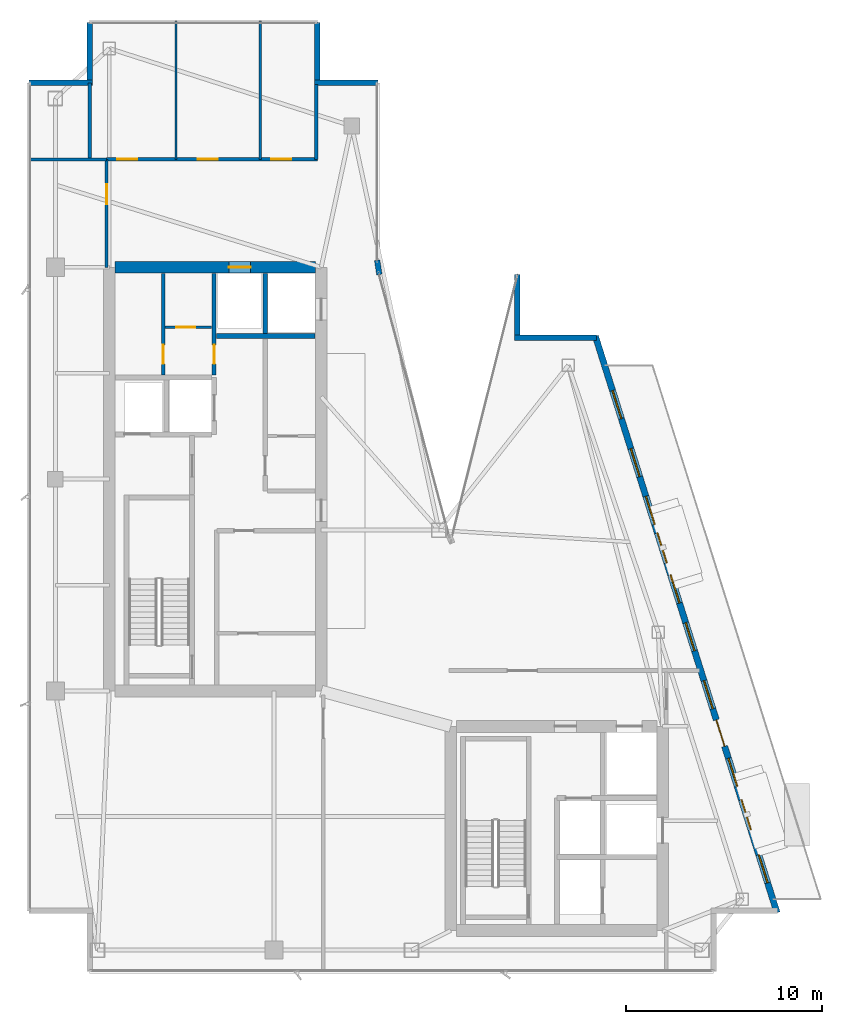
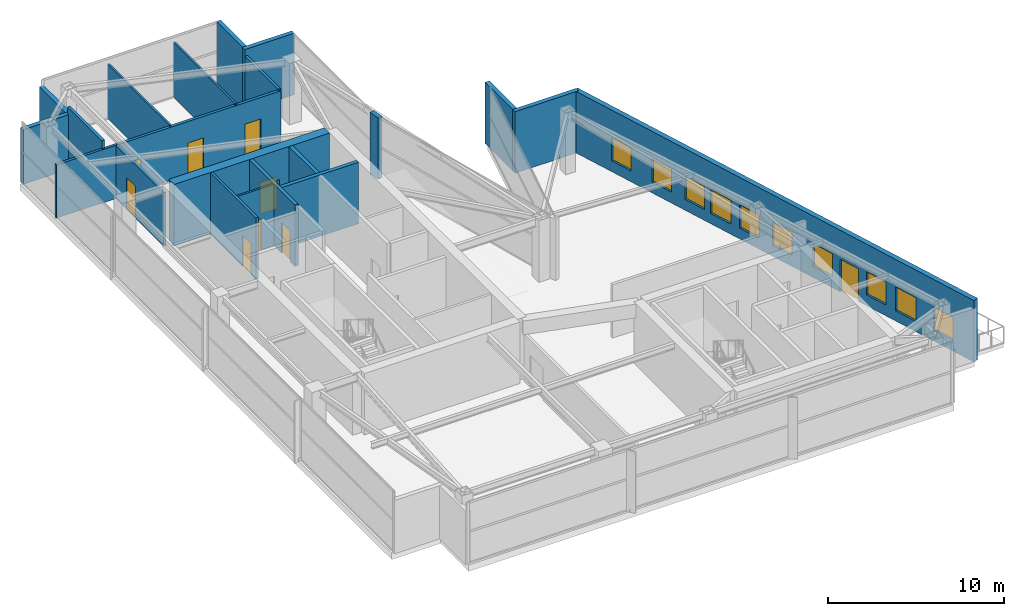
# One storey, part 22 of 25: 21 walls, 10 windows, 9 doors, 19 openings.
"""IFC4 building model written with IfcOpenShell, lengths in metres."""

from ifc_helpers import new_model, si_unit, direction, frame, frame_2d, origin, place, context, subcontext, project, spatial, rectangle, extrude, material, layer, layer_set, type_object, element, fill, save


model = new_model("IFC4")

# Units and contexts
model_context = context("Model", 3, precision=1e-05, world=origin(), true_north=direction((0.0, 1.0)))
body_context = subcontext(model_context, "Body", "Model", "MODEL_VIEW")
ifc_project = project(units=[si_unit("LENGTHUNIT", "METRE"), si_unit("AREAUNIT", "SQUARE_METRE"), si_unit("VOLUMEUNIT", "CUBIC_METRE"), si_unit("PLANEANGLEUNIT", "RADIAN"), si_unit("MASSUNIT", "GRAM", prefix="KILO")], contexts=[model_context])

# Site, building, storey
site_placement = place(None, origin())
site = spatial("IfcSite", under=ifc_project, at=site_placement, CompositionType="ELEMENT")
building_placement = place(site_placement, origin())
building = spatial("IfcBuilding", under=site, at=building_placement, Name="Calvorn Quay Hotel", CompositionType="ELEMENT")
storey_placement = place(building_placement, frame((0.0, 0.0, 307.0)))
storey = spatial("IfcBuildingStorey", under=building, at=storey_placement, Name="L76", CompositionType="ELEMENT", Elevation=307.0)

# Wall, opening, door
ifc_material_1 = material(Name="Concrete C45", Category="concrete")
ifc_layer_1 = layer(ifc_material_1, 0.60009765625)
ifc_layer_set_1 = layer_set([ifc_layer_1], Name="WL-CORE-600")
wall_type_1 = type_object("IfcWallType", Name="WL-CORE-600", PredefinedType="SHEAR", material=ifc_layer_set_1)
wall_1_placement = place(storey_placement, frame((4.5, 38.39990234375, 0.0), z_axis=(0.0, 0.0, 1.0), x_axis=(1.0, 0.0, 0.0)))
wall_1 = element("IfcWall", 1, at=wall_1_placement, inside=storey, type_object=wall_type_1, Name="West Core Shear Wall N (L76)", PredefinedType="SHEAR", context=body_context, shape_type="SweptSolid", body=[
    extrude(rectangle(XDim=10.199951171875, YDim=0.60009765625, at=frame_2d((5.10009765625, 0.0))), origin(), (0.0, 0.0, 1.0), 4.260009765625),
])
opening_1_placement = place(wall_1_placement, frame((5.800048828125, 0.0, 0.0)))
opening_1 = element("IfcOpeningElement", 2, at=opening_1_placement, cuts=wall_1, Name="Opening LD-L76-H2", PredefinedType="OPENING", context=body_context, shape_type="SweptSolid", body=[
    extrude(rectangle(XDim=1.10009765625, YDim=2.199951171875, at=frame_2d((0.550048828125, 1.10009765625))), frame((0.0, 0.31005859375, 0.0), z_axis=(0.0, -1.0, 0.0), x_axis=(1.0, 0.0, 0.0)), (0.0, 0.0, 1.0), 0.6201171875),
])
ifc_material_2 = material(Name="Brushed Stainless Steel Sliding Lift Landing Door", Category="steel")
door_type_1 = type_object("IfcDoorType", Name="DR-LIFT-PASS-1100", OperationType="NOTDEFINED", PredefinedType="DOOR", material=ifc_material_2)
door_1_placement = place(opening_1_placement, origin())
door_1 = element("IfcDoor", 3, at=door_1_placement, inside=storey, type_object=door_type_1, Name="High-Rise Lift PL-H2 Landing Door (L76)", OperationType="DOUBLE_DOOR_SLIDING", OverallHeight=2.199951171875, OverallWidth=1.10009765625, PredefinedType="DOOR", context=body_context, shape_type="SweptSolid", body=[
    extrude(rectangle(XDim=1.10009765625, YDim=2.199951171875, at=frame_2d((0.550048828125, 1.10009765625))), frame((0.0, 0.02490234375, 0.0), z_axis=(0.0, -1.0, 0.0), x_axis=(1.0, 0.0, 0.0)), (0.0, 0.0, 1.0), 0.050048828125),
])
fill(opening_1, door_1)

# Wall
ifc_material_3 = material(Name="Acoustic Fireboard Steel-Stud Partition", Category="steel")
ifc_layer_2 = layer(ifc_material_3, 0.179931640625)
ifc_layer_set_2 = layer_set([ifc_layer_2], Name="WL-CORR-FIRE-180")
wall_type_2 = type_object("IfcWallType", Name="WL-CORR-FIRE-180", PredefinedType="PARTITIONING", material=ifc_layer_set_2)
wall_2_placement = place(storey_placement, frame((3.199951171875, 43.89990234375, 0.0), z_axis=(0.0, 0.0, 1.0), x_axis=(0.0, 1.0, 0.0)))
element("IfcWall", 4, at=wall_2_placement, inside=storey, type_object=wall_type_2, Name="Partition Wall L76-WL-SK-WC-W", PredefinedType="PARTITIONING", context=body_context, shape_type="SweptSolid", body=[
    extrude(rectangle(XDim=3.900146484375, YDim=0.179931640625, at=frame_2d((1.9501953125, 0.0))), origin(), (0.0, 0.0, 1.0), 4.260009765625),
])

# Wall, openings, doors
wall_3_placement = place(storey_placement, frame((4.06005859375, 43.89990234375, 0.0), z_axis=(0.0, 0.0, 1.0), x_axis=(1.0, 0.0, 0.0)))
wall_3 = element("IfcWall", 5, at=wall_3_placement, inside=storey, type_object=wall_type_2, Name="Partition Wall L76-WL-SK-WC-S", PredefinedType="PARTITIONING", context=body_context, shape_type="SweptSolid", body=[
    extrude(rectangle(XDim=10.739990234375, YDim=0.179931640625, at=frame_2d((5.3701171875, 0.0))), origin(), (0.0, 0.0, 1.0), 3.68994140625),
])
opening_2_placement = place(wall_3_placement, frame((0.550048828125, 0.0, 0.0)))
opening_2 = element("IfcOpeningElement", 6, at=opening_2_placement, cuts=wall_3, Name="Opening D-L76-WM", PredefinedType="OPENING", context=body_context, shape_type="SweptSolid", body=[
    extrude(rectangle(XDim=1.02001953125, YDim=2.199951171875, at=frame_2d((0.510009765625, 1.10009765625))), frame((0.0, 0.099853515625, 0.0), z_axis=(0.0, -1.0, 0.0), x_axis=(1.0, 0.0, 0.0)), (0.0, 0.0, 1.0), 0.199951171875),
])
opening_3_placement = place(wall_3_placement, frame((4.64990234375, 0.0, 0.0)))
opening_3 = element("IfcOpeningElement", 7, at=opening_3_placement, cuts=wall_3, Name="Opening D-L76-WF", PredefinedType="OPENING", context=body_context, shape_type="SweptSolid", body=[
    extrude(rectangle(XDim=1.02001953125, YDim=2.199951171875, at=frame_2d((0.510009765625, 1.10009765625))), frame((0.0, 0.099853515625, 0.0), z_axis=(0.0, -1.0, 0.0), x_axis=(1.0, 0.0, 0.0)), (0.0, 0.0, 1.0), 0.199951171875),
])
opening_4_placement = place(wall_3_placement, frame((8.39990234375, 0.0, 0.0)))
opening_4 = element("IfcOpeningElement", 8, at=opening_4_placement, cuts=wall_3, Name="Opening D-L76-WA", PredefinedType="OPENING", context=body_context, shape_type="SweptSolid", body=[
    extrude(rectangle(XDim=1.02001953125, YDim=2.199951171875, at=frame_2d((0.510009765625, 1.10009765625))), frame((0.0, 0.099853515625, 0.0), z_axis=(0.0, -1.0, 0.0), x_axis=(1.0, 0.0, 0.0)), (0.0, 0.0, 1.0), 0.199951171875),
])
ifc_material_4 = material(Name="Solid-Core Walnut Veneer Hotel Fire Door")
door_type_2 = type_object("IfcDoorType", Name="DR-GUEST-ENTRY-1020", OperationType="NOTDEFINED", PredefinedType="DOOR", material=ifc_material_4)
door_2_placement = place(opening_2_placement, origin())
door_2 = element("IfcDoor", 9, at=door_2_placement, inside=storey, type_object=door_type_2, Name="Male WC Door", OperationType="SINGLE_SWING_LEFT", OverallHeight=2.199951171875, OverallWidth=1.02001953125, PredefinedType="DOOR", context=body_context, shape_type="SweptSolid", body=[
    extrude(rectangle(XDim=1.02001953125, YDim=2.199951171875, at=frame_2d((0.510009765625, 1.10009765625))), frame((0.0, 0.02490234375, 0.0), z_axis=(0.0, -1.0, 0.0), x_axis=(1.0, 0.0, 0.0)), (0.0, 0.0, 1.0), 0.050048828125),
])
fill(opening_2, door_2)
door_3_placement = place(opening_3_placement, origin())
door_3 = element("IfcDoor", 10, at=door_3_placement, inside=storey, type_object=door_type_2, Name="Female WC Door", OperationType="SINGLE_SWING_RIGHT", OverallHeight=2.199951171875, OverallWidth=1.02001953125, PredefinedType="DOOR", context=body_context, shape_type="SweptSolid", body=[
    extrude(rectangle(XDim=1.02001953125, YDim=2.199951171875, at=frame_2d((0.510009765625, 1.10009765625))), frame((0.0, 0.02490234375, 0.0), z_axis=(0.0, -1.0, 0.0), x_axis=(1.0, 0.0, 0.0)), (0.0, 0.0, 1.0), 0.050048828125),
])
fill(opening_3, door_3)
door_4_placement = place(opening_4_placement, origin())
door_4 = element("IfcDoor", 11, at=door_4_placement, inside=storey, type_object=door_type_2, Name="Accessible WC Door", OperationType="SINGLE_SWING_LEFT", OverallHeight=2.199951171875, OverallWidth=1.02001953125, PredefinedType="DOOR", context=body_context, shape_type="SweptSolid", body=[
    extrude(rectangle(XDim=1.02001953125, YDim=2.199951171875, at=frame_2d((0.510009765625, 1.10009765625))), frame((0.0, 0.02490234375, 0.0), z_axis=(0.0, -1.0, 0.0), x_axis=(1.0, 0.0, 0.0)), (0.0, 0.0, 1.0), 0.050048828125),
])
fill(opening_4, door_4)

# Wall
wall_4_placement = place(storey_placement, frame((14.75, 43.89990234375, 0.0), z_axis=(0.0, 0.0, 1.0), x_axis=(0.0, 1.0, 0.0)))
element("IfcWall", 12, at=wall_4_placement, inside=storey, type_object=wall_type_2, Name="Partition Wall L76-WL-SK-WC-E", PredefinedType="PARTITIONING", context=body_context, shape_type="SweptSolid", body=[
    extrude(rectangle(XDim=3.820068359375, YDim=0.179931640625, at=frame_2d((1.91015625, 0.0))), origin(), (0.0, 0.0, 1.0), 3.7900390625),
])

# Wall, opening, door
ifc_material_5 = material(Name="Moisture-Resistant Tile-Backed Partition")
ifc_layer_3 = layer(ifc_material_5, 0.125)
ifc_layer_set_3 = layer_set([ifc_layer_3], Name="WL-ENSUITE-125")
wall_type_3 = type_object("IfcWallType", Name="WL-ENSUITE-125", PredefinedType="PARTITIONING", material=ifc_layer_set_3)
wall_5_placement = place(storey_placement, frame((7.050048828125, 35.35009765625, 0.0), z_axis=(0.0, 0.0, 1.0), x_axis=(1.0, 0.0, 0.0)))
wall_5 = element("IfcWall", 13, at=wall_5_placement, inside=storey, type_object=wall_type_3, Name="Partition Wall L76-WL-CWW-K-H", PredefinedType="PARTITIONING", context=body_context, shape_type="SweptSolid", body=[
    extrude(rectangle(XDim=2.369873046875, YDim=0.125, at=frame_2d((1.18505859375, 0.0))), origin(), (0.0, 0.0, 1.0), 4.260009765625),
])
opening_5_placement = place(wall_5_placement, frame((0.550048828125, 0.0, 0.0)))
opening_5 = element("IfcOpeningElement", 14, at=opening_5_placement, cuts=wall_5, Name="Opening D-L76-CK3", PredefinedType="OPENING", context=body_context, shape_type="SweptSolid", body=[
    extrude(rectangle(XDim=0.97998046875, YDim=2.14990234375, at=frame_2d((0.489990234375, 1.074951171875))), frame((0.0, 0.072509765625, 0.0), z_axis=(0.0, -1.0, 0.0), x_axis=(1.0, 0.0, 0.0)), (0.0, 0.0, 1.0), 0.14501953125),
])
ifc_material_6 = material(Name="Painted Steel Housekeeping/Riser Fire Door", Category="steel")
door_type_3 = type_object("IfcDoorType", Name="DR-SERVICE-980", OperationType="NOTDEFINED", PredefinedType="DOOR", material=ifc_material_6)
door_5_placement = place(opening_5_placement, origin())
door_5 = element("IfcDoor", 15, at=door_5_placement, inside=storey, type_object=door_type_3, Name="Telecom Closet Door (L76)", OperationType="SINGLE_SWING_RIGHT", OverallHeight=2.14990234375, OverallWidth=0.97998046875, PredefinedType="DOOR", context=body_context, shape_type="SweptSolid", body=[
    extrude(rectangle(XDim=0.97998046875, YDim=2.14990234375, at=frame_2d((0.489990234375, 1.074951171875))), frame((0.0, 0.02490234375, 0.0), z_axis=(0.0, -1.0, 0.0), x_axis=(1.0, 0.0, 0.0)), (0.0, 0.0, 1.0), 0.050048828125),
])
fill(opening_5, door_5)

# Walls
for number, where, z_axis, x_axis, name in (
    (16, (7.60009765625, 43.89990234375, 0.0), (0.0, 0.0, 1.0), (0.0, 1.0, 0.0), "Partition Wall L76-WL-SK-WC-D1"),
    (17, (11.89990234375, 43.89990234375, 0.0), (0.0, 0.0, 1.0), (0.0, 1.0, 0.0), "Partition Wall L76-WL-SK-WC-D2"),
):
    element("IfcWall", number, at=place(storey_placement, frame(where, z_axis=z_axis, x_axis=x_axis)), inside=storey, type_object=wall_type_3, Name=name, PredefinedType="PARTITIONING", context=body_context, shape_type="SweptSolid", body=[
        extrude(rectangle(XDim=7.0400390625, YDim=0.125, at=frame_2d((3.52001953125, 0.0))), origin(), (0.0, 0.0, 1.0), 3.7900390625),
    ])
ifc_material_7 = material(Name="Concrete C40", Category="concrete")
ifc_layer_4 = layer(ifc_material_7, 0.320068359375)
ifc_layer_set_4 = layer_set([ifc_layer_4], Name="WL-EXT-SPANDREL-320")
wall_type_4 = type_object("IfcWallType", Name="WL-EXT-SPANDREL-320", PredefinedType="SOLIDWALL", material=ifc_layer_set_4)
wall_6_placement = place(storey_placement, frame((17.9619140625, 38.030029296875, 0.0), z_axis=(0.0, 0.0, 1.0), x_axis=(-0.15141125477, 0.988470855377, 0.0)))
element("IfcWall", 18, at=wall_6_placement, inside=storey, type_object=wall_type_4, Name="Inner Court Corner Pier L76-ICJ2", PredefinedType="SOLIDWALL", context=body_context, shape_type="SweptSolid", body=[
    extrude(rectangle(XDim=0.738525390625, YDim=0.280029296875, at=frame_2d((0.369140625, 0.0))), origin(), (0.0, 0.0, 1.0), 4.260009765625),
])
wall_7_placement = place(storey_placement, frame((29.0400390625, 34.800048828125, 0.0), z_axis=(0.0, 0.0, 1.0), x_axis=(-1.0, 0.0, 0.0)))
element("IfcWall", 19, at=wall_7_placement, inside=storey, type_object=wall_type_4, Name="Notched Corner Spandrel L76-NE1", PredefinedType="SOLIDWALL", context=body_context, shape_type="SweptSolid", body=[
    extrude(rectangle(XDim=4.179931640625, YDim=0.280029296875, at=frame_2d((2.08984375, 0.0))), origin(), (0.0, 0.0, 1.0), 4.260009765625),
])
wall_8_placement = place(storey_placement, frame((25.0, 34.93994140625, 0.0), z_axis=(0.0, 0.0, 1.0), x_axis=(0.0, 1.0, 0.0)))
element("IfcWall", 20, at=wall_8_placement, inside=storey, type_object=wall_type_4, Name="Notched Corner Spandrel L76-NE2", PredefinedType="SOLIDWALL", context=body_context, shape_type="SweptSolid", body=[
    extrude(rectangle(XDim=3.10009765625, YDim=0.280029296875, at=frame_2d((1.550048828125, 0.0))), origin(), (0.0, 0.0, 1.0), 4.260009765625),
])
wall_9_placement = place(storey_placement, frame((17.89990234375, 47.800048828125, 0.0), z_axis=(0.0, 0.0, 1.0), x_axis=(-1.0, 0.0, 0.0)))
element("IfcWall", 21, at=wall_9_placement, inside=storey, type_object=wall_type_4, Name="Notched Corner Spandrel L76-NWE1", PredefinedType="SOLIDWALL", context=body_context, shape_type="SweptSolid", body=[
    extrude(rectangle(XDim=3.239990234375, YDim=0.280029296875, at=frame_2d((1.6201171875, 0.0))), origin(), (0.0, 0.0, 1.0), 4.260009765625),
])
wall_10_placement = place(storey_placement, frame((14.800048828125, 47.93994140625, 0.0), z_axis=(0.0, 0.0, 1.0), x_axis=(0.0, 1.0, 0.0)))
element("IfcWall", 22, at=wall_10_placement, inside=storey, type_object=wall_type_4, Name="Notched Corner Spandrel L76-NWE2", PredefinedType="SOLIDWALL", context=body_context, shape_type="SweptSolid", body=[
    extrude(rectangle(XDim=2.93994140625, YDim=0.280029296875, at=frame_2d((1.469970703125, 0.0))), origin(), (0.0, 0.0, 1.0), 4.260009765625),
])
wall_11_placement = place(storey_placement, frame((3.199951171875, 50.8798828125, 0.0), z_axis=(0.0, 0.0, 1.0), x_axis=(0.0, -1.0, 0.0)))
element("IfcWall", 23, at=wall_11_placement, inside=storey, type_object=wall_type_4, Name="Notched Corner Spandrel L76-NW1", PredefinedType="SOLIDWALL", context=body_context, shape_type="SweptSolid", body=[
    extrude(rectangle(XDim=2.93994140625, YDim=0.280029296875, at=frame_2d((1.469970703125, 0.0))), origin(), (0.0, 0.0, 1.0), 3.7900390625),
])
wall_12_placement = place(storey_placement, frame((3.340087890625, 47.800048828125, 0.0), z_axis=(0.0, 0.0, 1.0), x_axis=(-1.0, 0.0, 0.0)))
element("IfcWall", 24, at=wall_12_placement, inside=storey, type_object=wall_type_4, Name="Notched Corner Spandrel L76-NW2", PredefinedType="SOLIDWALL", context=body_context, shape_type="SweptSolid", body=[
    extrude(rectangle(XDim=3.219970703125, YDim=0.280029296875, at=frame_2d((1.60986328125, 0.0))), origin(), (0.0, 0.0, 1.0), 3.7900390625),
])

# Wall, openings, door, windows
wall_13_placement = place(storey_placement, frame((38.22998046875, 5.5048828125, 0.0), z_axis=(0.0, 0.0, 1.0), x_axis=(-0.300509063924, 0.953778958931, 0.0)))
wall_13 = element("IfcWall", 25, at=wall_13_placement, inside=storey, type_object=wall_type_4, Name="East Stepped Waterfront Exterior Wall (L76)", PredefinedType="SOLIDWALL", context=body_context, shape_type="SweptSolid", body=[
    extrude(rectangle(XDim=30.814453125, YDim=0.320068359375, at=frame_2d((15.4072265625, 0.0))), origin(), (0.0, 0.0, 1.0), 4.260009765625),
])
opening_6_placement = place(wall_13_placement, frame((8.89990234375, 0.0, 0.0)))
opening_6 = element("IfcOpeningElement", 26, at=opening_6_placement, cuts=wall_13, Name="Opening DTR-L76", PredefinedType="OPENING", context=body_context, shape_type="SweptSolid", body=[
    extrude(rectangle(XDim=1.39990234375, YDim=2.25, at=frame_2d((0.699951171875, 1.125))), frame((0.0, 0.169921875, 0.0), z_axis=(0.0, -1.0, 0.0), x_axis=(1.0, 0.0, 0.0)), (0.0, 0.0, 1.0), 0.340087890625),
])
opening_7_placement = place(wall_13_placement, frame((4.43701171875, 0.0, 0.699951171875)))
opening_7 = element("IfcOpeningElement", 27, at=opening_7_placement, cuts=wall_13, Name="Opening WHD-L76-1", PredefinedType="OPENING", context=body_context, shape_type="SweptSolid", body=[
    extrude(rectangle(XDim=1.60009765625, YDim=1.64990234375, at=frame_2d((0.800048828125, 0.824951171875))), frame((0.0, 0.169921875, 0.0), z_axis=(0.0, -1.0, 0.0), x_axis=(1.0, 0.0, 0.0)), (0.0, 0.0, 1.0), 0.340087890625),
])
opening_8_placement = place(wall_13_placement, frame((18.696044921875, 0.0, 0.699951171875)))
opening_8 = element("IfcOpeningElement", 28, at=opening_8_placement, cuts=wall_13, Name="Opening WHD-L76-2", PredefinedType="OPENING", context=body_context, shape_type="SweptSolid", body=[
    extrude(rectangle(XDim=1.60009765625, YDim=1.64990234375, at=frame_2d((0.800048828125, 0.824951171875))), frame((0.0, 0.169921875, 0.0), z_axis=(0.0, -1.0, 0.0), x_axis=(1.0, 0.0, 0.0)), (0.0, 0.0, 1.0), 0.340087890625),
])
opening_9_placement = place(wall_13_placement, frame((1.60009765625, 0.0, 0.75)))
opening_9 = element("IfcOpeningElement", 29, at=opening_9_placement, cuts=wall_13, Name="Opening WG-L76-E1", PredefinedType="OPENING", context=body_context, shape_type="SweptSolid", body=[
    extrude(rectangle(XDim=1.5, YDim=1.60009765625, at=frame_2d((0.75, 0.800048828125))), frame((0.0, 0.169921875, 0.0), z_axis=(0.0, -1.0, 0.0), x_axis=(1.0, 0.0, 0.0)), (0.0, 0.0, 1.0), 0.340087890625),
])
opening_10_placement = place(wall_13_placement, frame((6.75, 0.0, 0.75)))
opening_10 = element("IfcOpeningElement", 30, at=opening_10_placement, cuts=wall_13, Name="Opening WG-L76-E2", PredefinedType="OPENING", context=body_context, shape_type="SweptSolid", body=[
    extrude(rectangle(XDim=1.5, YDim=1.60009765625, at=frame_2d((0.75, 0.800048828125))), frame((0.0, 0.169921875, 0.0), z_axis=(0.0, -1.0, 0.0), x_axis=(1.0, 0.0, 0.0)), (0.0, 0.0, 1.0), 0.340087890625),
])
opening_11_placement = place(wall_13_placement, frame((10.89990234375, 0.0, 0.75)))
opening_11 = element("IfcOpeningElement", 31, at=opening_11_placement, cuts=wall_13, Name="Opening WG-L76-E3", PredefinedType="OPENING", context=body_context, shape_type="SweptSolid", body=[
    extrude(rectangle(XDim=1.5, YDim=1.60009765625, at=frame_2d((0.75, 0.800048828125))), frame((0.0, 0.169921875, 0.0), z_axis=(0.0, -1.0, 0.0), x_axis=(1.0, 0.0, 0.0)), (0.0, 0.0, 1.0), 0.340087890625),
])
opening_12_placement = place(wall_13_placement, frame((14.0, 0.0, 0.75)))
opening_12 = element("IfcOpeningElement", 32, at=opening_12_placement, cuts=wall_13, Name="Opening WG-L76-E4", PredefinedType="OPENING", context=body_context, shape_type="SweptSolid", body=[
    extrude(rectangle(XDim=1.5, YDim=1.60009765625, at=frame_2d((0.75, 0.800048828125))), frame((0.0, 0.169921875, 0.0), z_axis=(0.0, -1.0, 0.0), x_axis=(1.0, 0.0, 0.0)), (0.0, 0.0, 1.0), 0.340087890625),
])
opening_13_placement = place(wall_13_placement, frame((16.550048828125, 0.0, 0.75)))
opening_13 = element("IfcOpeningElement", 33, at=opening_13_placement, cuts=wall_13, Name="Opening WG-L76-E5", PredefinedType="OPENING", context=body_context, shape_type="SweptSolid", body=[
    extrude(rectangle(XDim=1.5, YDim=1.60009765625, at=frame_2d((0.75, 0.800048828125))), frame((0.0, 0.169921875, 0.0), z_axis=(0.0, -1.0, 0.0), x_axis=(1.0, 0.0, 0.0)), (0.0, 0.0, 1.0), 0.340087890625),
])
opening_14_placement = place(wall_13_placement, frame((20.75, 0.0, 0.75)))
opening_14 = element("IfcOpeningElement", 34, at=opening_14_placement, cuts=wall_13, Name="Opening WG-L76-E6", PredefinedType="OPENING", context=body_context, shape_type="SweptSolid", body=[
    extrude(rectangle(XDim=1.5, YDim=1.60009765625, at=frame_2d((0.75, 0.800048828125))), frame((0.0, 0.169921875, 0.0), z_axis=(0.0, -1.0, 0.0), x_axis=(1.0, 0.0, 0.0)), (0.0, 0.0, 1.0), 0.340087890625),
])
opening_15_placement = place(wall_13_placement, frame((23.300048828125, 0.0, 0.75)))
opening_15 = element("IfcOpeningElement", 35, at=opening_15_placement, cuts=wall_13, Name="Opening WG-L76-E7", PredefinedType="OPENING", context=body_context, shape_type="SweptSolid", body=[
    extrude(rectangle(XDim=1.5, YDim=1.60009765625, at=frame_2d((0.75, 0.800048828125))), frame((0.0, 0.169921875, 0.0), z_axis=(0.0, -1.0, 0.0), x_axis=(1.0, 0.0, 0.0)), (0.0, 0.0, 1.0), 0.340087890625),
])
opening_16_placement = place(wall_13_placement, frame((26.39990234375, 0.0, 0.75)))
opening_16 = element("IfcOpeningElement", 36, at=opening_16_placement, cuts=wall_13, Name="Opening WG-L76-E8", PredefinedType="OPENING", context=body_context, shape_type="SweptSolid", body=[
    extrude(rectangle(XDim=1.5, YDim=1.60009765625, at=frame_2d((0.75, 0.800048828125))), frame((0.0, 0.169921875, 0.0), z_axis=(0.0, -1.0, 0.0), x_axis=(1.0, 0.0, 0.0)), (0.0, 0.0, 1.0), 0.340087890625),
])
ifc_material_8 = material(Name="Typhoon-Rated Low-E Aluminium Terrace Door", Category="aluminium")
door_type_4 = type_object("IfcDoorType", Name="DR-BALCONY-GLZ-1400", OperationType="NOTDEFINED", PredefinedType="DOOR", material=ifc_material_8)
door_6_placement = place(opening_6_placement, origin())
door_6 = element("IfcDoor", 37, at=door_6_placement, inside=storey, type_object=door_type_4, Name="Sawtooth Setback Terrace Door (L76)", OperationType="SINGLE_SWING_RIGHT", OverallHeight=2.25, OverallWidth=1.39990234375, PredefinedType="DOOR", context=body_context, shape_type="SweptSolid", body=[
    extrude(rectangle(XDim=1.39990234375, YDim=2.25, at=frame_2d((0.699951171875, 1.125))), frame((0.0, 0.02490234375, 0.0), z_axis=(0.0, -1.0, 0.0), x_axis=(1.0, 0.0, 0.0)), (0.0, 0.0, 1.0), 0.050048828125),
])
fill(opening_6, door_6)
ifc_material_9 = material(Name="Champagne-Bronze Aluminium Low-E Window", Category="aluminium")
window_type_1 = type_object("IfcWindowType", Name="WIN-GUEST-SIDE-1600x2100", PartitioningType="SINGLE_PANEL", PredefinedType="WINDOW", material=ifc_material_9)
window_1_placement = place(opening_7_placement, origin())
window_1 = element("IfcWindow", 38, at=window_1_placement, inside=storey, type_object=window_type_1, Name="Bay Hood Window L76-HOOD-1", OverallHeight=1.64990234375, OverallWidth=1.60009765625, PartitioningType="SINGLE_PANEL", PredefinedType="WINDOW", context=body_context, shape_type="SweptSolid", body=[
    extrude(rectangle(XDim=1.60009765625, YDim=1.64990234375, at=frame_2d((0.800048828125, 0.824951171875))), frame((0.0, 0.030029296875, 0.0), z_axis=(0.0, -1.0, 0.0), x_axis=(1.0, 0.0, 0.0)), (0.0, 0.0, 1.0), 0.06005859375),
])
fill(opening_7, window_1)
window_2_placement = place(opening_8_placement, origin())
window_2 = element("IfcWindow", 39, at=window_2_placement, inside=storey, type_object=window_type_1, Name="Bay Hood Window L76-HOOD-3", OverallHeight=1.64990234375, OverallWidth=1.60009765625, PartitioningType="SINGLE_PANEL", PredefinedType="WINDOW", context=body_context, shape_type="SweptSolid", body=[
    extrude(rectangle(XDim=1.60009765625, YDim=1.64990234375, at=frame_2d((0.800048828125, 0.824951171875))), frame((0.0, 0.030029296875, 0.0), z_axis=(0.0, -1.0, 0.0), x_axis=(1.0, 0.0, 0.0)), (0.0, 0.0, 1.0), 0.06005859375),
])
fill(opening_8, window_2)
ifc_material_10 = material(Name="Self-Closing Class B Fire Window")
window_type_2 = type_object("IfcWindowType", Name="WIN-REFUGE-1500x1600", PartitioningType="SINGLE_PANEL", PredefinedType="WINDOW", material=ifc_material_10)
window_3_placement = place(opening_9_placement, origin())
window_3 = element("IfcWindow", 40, at=window_3_placement, inside=storey, type_object=window_type_2, Name="East Facade Window L76-E1", OverallHeight=1.60009765625, OverallWidth=1.5, PartitioningType="SINGLE_PANEL", PredefinedType="WINDOW", context=body_context, shape_type="SweptSolid", body=[
    extrude(rectangle(XDim=1.5, YDim=1.60009765625, at=frame_2d((0.75, 0.800048828125))), frame((0.0, 0.030029296875, 0.0), z_axis=(0.0, -1.0, 0.0), x_axis=(1.0, 0.0, 0.0)), (0.0, 0.0, 1.0), 0.06005859375),
])
fill(opening_9, window_3)
window_4_placement = place(opening_10_placement, origin())
window_4 = element("IfcWindow", 41, at=window_4_placement, inside=storey, type_object=window_type_2, Name="East Facade Window L76-E2", OverallHeight=1.60009765625, OverallWidth=1.5, PartitioningType="SINGLE_PANEL", PredefinedType="WINDOW", context=body_context, shape_type="SweptSolid", body=[
    extrude(rectangle(XDim=1.5, YDim=1.60009765625, at=frame_2d((0.75, 0.800048828125))), frame((0.0, 0.030029296875, 0.0), z_axis=(0.0, -1.0, 0.0), x_axis=(1.0, 0.0, 0.0)), (0.0, 0.0, 1.0), 0.06005859375),
])
fill(opening_10, window_4)
window_5_placement = place(opening_11_placement, origin())
window_5 = element("IfcWindow", 42, at=window_5_placement, inside=storey, type_object=window_type_2, Name="East Facade Window L76-E3", OverallHeight=1.60009765625, OverallWidth=1.5, PartitioningType="SINGLE_PANEL", PredefinedType="WINDOW", context=body_context, shape_type="SweptSolid", body=[
    extrude(rectangle(XDim=1.5, YDim=1.60009765625, at=frame_2d((0.75, 0.800048828125))), frame((0.0, 0.030029296875, 0.0), z_axis=(0.0, -1.0, 0.0), x_axis=(1.0, 0.0, 0.0)), (0.0, 0.0, 1.0), 0.06005859375),
])
fill(opening_11, window_5)
window_6_placement = place(opening_12_placement, origin())
window_6 = element("IfcWindow", 43, at=window_6_placement, inside=storey, type_object=window_type_2, Name="East Facade Window L76-E4", OverallHeight=1.60009765625, OverallWidth=1.5, PartitioningType="SINGLE_PANEL", PredefinedType="WINDOW", context=body_context, shape_type="SweptSolid", body=[
    extrude(rectangle(XDim=1.5, YDim=1.60009765625, at=frame_2d((0.75, 0.800048828125))), frame((0.0, 0.030029296875, 0.0), z_axis=(0.0, -1.0, 0.0), x_axis=(1.0, 0.0, 0.0)), (0.0, 0.0, 1.0), 0.06005859375),
])
fill(opening_12, window_6)
window_7_placement = place(opening_13_placement, origin())
window_7 = element("IfcWindow", 44, at=window_7_placement, inside=storey, type_object=window_type_2, Name="East Facade Window L76-E5", OverallHeight=1.60009765625, OverallWidth=1.5, PartitioningType="SINGLE_PANEL", PredefinedType="WINDOW", context=body_context, shape_type="SweptSolid", body=[
    extrude(rectangle(XDim=1.5, YDim=1.60009765625, at=frame_2d((0.75, 0.800048828125))), frame((0.0, 0.030029296875, 0.0), z_axis=(0.0, -1.0, 0.0), x_axis=(1.0, 0.0, 0.0)), (0.0, 0.0, 1.0), 0.06005859375),
])
fill(opening_13, window_7)
window_8_placement = place(opening_14_placement, origin())
window_8 = element("IfcWindow", 45, at=window_8_placement, inside=storey, type_object=window_type_2, Name="East Facade Window L76-E6", OverallHeight=1.60009765625, OverallWidth=1.5, PartitioningType="SINGLE_PANEL", PredefinedType="WINDOW", context=body_context, shape_type="SweptSolid", body=[
    extrude(rectangle(XDim=1.5, YDim=1.60009765625, at=frame_2d((0.75, 0.800048828125))), frame((0.0, 0.030029296875, 0.0), z_axis=(0.0, -1.0, 0.0), x_axis=(1.0, 0.0, 0.0)), (0.0, 0.0, 1.0), 0.06005859375),
])
fill(opening_14, window_8)
window_9_placement = place(opening_15_placement, origin())
window_9 = element("IfcWindow", 46, at=window_9_placement, inside=storey, type_object=window_type_2, Name="East Facade Window L76-E7", OverallHeight=1.60009765625, OverallWidth=1.5, PartitioningType="SINGLE_PANEL", PredefinedType="WINDOW", context=body_context, shape_type="SweptSolid", body=[
    extrude(rectangle(XDim=1.5, YDim=1.60009765625, at=frame_2d((0.75, 0.800048828125))), frame((0.0, 0.030029296875, 0.0), z_axis=(0.0, -1.0, 0.0), x_axis=(1.0, 0.0, 0.0)), (0.0, 0.0, 1.0), 0.06005859375),
])
fill(opening_15, window_9)
window_10_placement = place(opening_16_placement, origin())
window_10 = element("IfcWindow", 47, at=window_10_placement, inside=storey, type_object=window_type_2, Name="East Facade Window L76-E8", OverallHeight=1.60009765625, OverallWidth=1.5, PartitioningType="SINGLE_PANEL", PredefinedType="WINDOW", context=body_context, shape_type="SweptSolid", body=[
    extrude(rectangle(XDim=1.5, YDim=1.60009765625, at=frame_2d((0.75, 0.800048828125))), frame((0.0, 0.030029296875, 0.0), z_axis=(0.0, -1.0, 0.0), x_axis=(1.0, 0.0, 0.0)), (0.0, 0.0, 1.0), 0.06005859375),
])
fill(opening_16, window_10)

# Wall, opening, door
ifc_material_11 = material(Name="Double-Stud Acoustic Gypsum Partition")
ifc_layer_5 = layer(ifc_material_11, 0.159912109375)
ifc_layer_set_5 = layer_set([ifc_layer_5], Name="WL-INTERSUITE-160")
wall_type_5 = type_object("IfcWallType", Name="WL-INTERSUITE-160", PredefinedType="PARTITIONING", material=ifc_layer_set_5)
wall_14_placement = place(storey_placement, frame((6.949951171875, 32.919921875, 0.0), z_axis=(0.0, 0.0, 1.0), x_axis=(0.0, 1.0, 0.0)))
wall_14 = element("IfcWall", 48, at=wall_14_placement, inside=storey, type_object=wall_type_5, Name="Partition Wall L76-WL-CWW-K-V", PredefinedType="PARTITIONING", context=body_context, shape_type="SweptSolid", body=[
    extrude(rectangle(XDim=5.16015625, YDim=0.159912109375, at=frame_2d((2.580078125, 0.0))), origin(), (0.0, 0.0, 1.0), 4.260009765625),
])
opening_17_placement = place(wall_14_placement, frame((0.550048828125, 0.0, 0.0)))
opening_17 = element("IfcOpeningElement", 49, at=opening_17_placement, cuts=wall_14, Name="Opening D-L76-CK1", PredefinedType="OPENING", context=body_context, shape_type="SweptSolid", body=[
    extrude(rectangle(XDim=0.97998046875, YDim=2.14990234375, at=frame_2d((0.489990234375, 1.074951171875))), frame((0.0, 0.08984375, 0.0), z_axis=(0.0, -1.0, 0.0), x_axis=(1.0, 0.0, 0.0)), (0.0, 0.0, 1.0), 0.179931640625),
])
door_7_placement = place(opening_17_placement, origin())
door_7 = element("IfcDoor", 50, at=door_7_placement, inside=storey, type_object=door_type_3, Name="Pipe Riser Door (L76)", OperationType="SINGLE_SWING_LEFT", OverallHeight=2.14990234375, OverallWidth=0.97998046875, PredefinedType="DOOR", context=body_context, shape_type="SweptSolid", body=[
    extrude(rectangle(XDim=0.97998046875, YDim=2.14990234375, at=frame_2d((0.489990234375, 1.074951171875))), frame((0.0, 0.02490234375, 0.0), z_axis=(0.0, -1.0, 0.0), x_axis=(1.0, 0.0, 0.0)), (0.0, 0.0, 1.0), 0.050048828125),
])
fill(opening_17, door_7)

wall_15_placement = place(storey_placement, frame((4.06005859375, 38.39990234375, 0.0), z_axis=(0.0, 0.0, 1.0), x_axis=(0.0, 1.0, 0.0)))
wall_15 = element("IfcWall", 51, at=wall_15_placement, inside=storey, type_object=wall_type_5, Name="Partition Wall L76-WL-SK-WV-E", PredefinedType="PARTITIONING", context=body_context, shape_type="SweptSolid", body=[
    extrude(rectangle(XDim=5.5, YDim=0.159912109375, at=frame_2d((2.75, 0.0))), origin(), (0.0, 0.0, 1.0), 3.68994140625),
])
opening_18_placement = place(wall_15_placement, frame((3.199951171875, 0.0, 0.0)))
opening_18 = element("IfcOpeningElement", 52, at=opening_18_placement, cuts=wall_15, Name="Opening D-L76-WV", PredefinedType="OPENING", context=body_context, shape_type="SweptSolid", body=[
    extrude(rectangle(XDim=1.02001953125, YDim=2.199951171875, at=frame_2d((0.510009765625, 1.10009765625))), frame((0.0, 0.08984375, 0.0), z_axis=(0.0, -1.0, 0.0), x_axis=(1.0, 0.0, 0.0)), (0.0, 0.0, 1.0), 0.179931640625),
])
door_8_placement = place(opening_18_placement, origin())
door_8 = element("IfcDoor", 53, at=door_8_placement, inside=storey, type_object=door_type_2, Name="West Viewing Lounge Door", OperationType="SINGLE_SWING_LEFT", OverallHeight=2.199951171875, OverallWidth=1.02001953125, PredefinedType="DOOR", context=body_context, shape_type="SweptSolid", body=[
    extrude(rectangle(XDim=1.02001953125, YDim=2.199951171875, at=frame_2d((0.510009765625, 1.10009765625))), frame((0.0, 0.02490234375, 0.0), z_axis=(0.0, -1.0, 0.0), x_axis=(1.0, 0.0, 0.0)), (0.0, 0.0, 1.0), 0.050048828125),
])
fill(opening_18, door_8)

# Wall
wall_16_placement = place(storey_placement, frame((0.080078125, 43.89990234375, 0.0), z_axis=(0.0, 0.0, 1.0), x_axis=(1.0, 0.0, 0.0)))
element("IfcWall", 54, at=wall_16_placement, inside=storey, type_object=wall_type_5, Name="Partition Wall L76-WL-SK-WV-N", PredefinedType="PARTITIONING", context=body_context, shape_type="SweptSolid", body=[
    extrude(rectangle(XDim=3.97998046875, YDim=0.159912109375, at=frame_2d((1.989990234375, 0.0))), origin(), (0.0, 0.0, 1.0), 3.68994140625),
])

# Wall, opening, door
ifc_material_12 = material(Name="Autoclaved Aerated Masonry Block", Category="masonry")
ifc_layer_6 = layer(ifc_material_12, 0.219970703125)
ifc_layer_set_6 = layer_set([ifc_layer_6], Name="WL-LOBBY-FIRE-220")
wall_type_6 = type_object("IfcWallType", Name="WL-LOBBY-FIRE-220", PredefinedType="SOLIDWALL", material=ifc_layer_set_6)
wall_17_placement = place(storey_placement, frame((9.5400390625, 32.919921875, 0.0), z_axis=(0.0, 0.0, 1.0), x_axis=(0.0, 1.0, 0.0)))
wall_17 = element("IfcWall", 55, at=wall_17_placement, inside=storey, type_object=wall_type_6, Name="Partition Wall L76-WL-CWW-K-E", PredefinedType="SOLIDWALL", context=body_context, shape_type="SweptSolid", body=[
    extrude(rectangle(XDim=5.16015625, YDim=0.219970703125, at=frame_2d((2.580078125, 0.0))), origin(), (0.0, 0.0, 1.0), 4.260009765625),
])
opening_19_placement = place(wall_17_placement, frame((0.550048828125, 0.0, 0.0)))
opening_19 = element("IfcOpeningElement", 56, at=opening_19_placement, cuts=wall_17, Name="Opening D-L76-CK2", PredefinedType="OPENING", context=body_context, shape_type="SweptSolid", body=[
    extrude(rectangle(XDim=0.97998046875, YDim=2.14990234375, at=frame_2d((0.489990234375, 1.074951171875))), frame((0.0, 0.119873046875, 0.0), z_axis=(0.0, -1.0, 0.0), x_axis=(1.0, 0.0, 0.0)), (0.0, 0.0, 1.0), 0.239990234375),
])
door_9_placement = place(opening_19_placement, origin())
door_9 = element("IfcDoor", 57, at=door_9_placement, inside=storey, type_object=door_type_3, Name="Valet Closet Door (L76)", OperationType="SINGLE_SWING_LEFT", OverallHeight=2.14990234375, OverallWidth=0.97998046875, PredefinedType="DOOR", context=body_context, shape_type="SweptSolid", body=[
    extrude(rectangle(XDim=0.97998046875, YDim=2.14990234375, at=frame_2d((0.489990234375, 1.074951171875))), frame((0.0, 0.02490234375, 0.0), z_axis=(0.0, -1.0, 0.0), x_axis=(1.0, 0.0, 0.0)), (0.0, 0.0, 1.0), 0.050048828125),
])
fill(opening_19, door_9)

# Walls
ifc_material_13 = material(Name="Concrete C40", Category="concrete")
ifc_layer_7 = layer(ifc_material_13, 0.239990234375)
ifc_layer_set_7 = layer_set([ifc_layer_7], Name="WL-SHAFT-240")
wall_type_7 = type_object("IfcWallType", Name="WL-SHAFT-240", PredefinedType="SOLIDWALL", material=ifc_layer_set_7)
wall_18_placement = place(storey_placement, frame((9.659912109375, 34.89990234375, 0.0), z_axis=(0.0, 0.0, 1.0), x_axis=(1.0, 0.0, 0.0)))
element("IfcWall", 58, at=wall_18_placement, inside=storey, type_object=wall_type_7, Name="Partition Wall L76-WL-CWW-PLH-S", PredefinedType="SOLIDWALL", context=body_context, shape_type="SweptSolid", body=[
    extrude(rectangle(XDim=5.02001953125, YDim=0.239990234375, at=frame_2d((2.510009765625, 0.0))), origin(), (0.0, 0.0, 1.0), 4.260009765625),
])
wall_19_placement = place(storey_placement, frame((12.14990234375, 35.02001953125, 0.0), z_axis=(0.0, 0.0, 1.0), x_axis=(0.0, 1.0, 0.0)))
element("IfcWall", 59, at=wall_19_placement, inside=storey, type_object=wall_type_7, Name="Partition Wall L76-WL-CWW-PLH-DIV", PredefinedType="SOLIDWALL", context=body_context, shape_type="SweptSolid", body=[
    extrude(rectangle(XDim=3.06005859375, YDim=0.239990234375, at=frame_2d((1.530029296875, 0.0))), origin(), (0.0, 0.0, 1.0), 4.260009765625),
])

save(model, "model.ifc")
